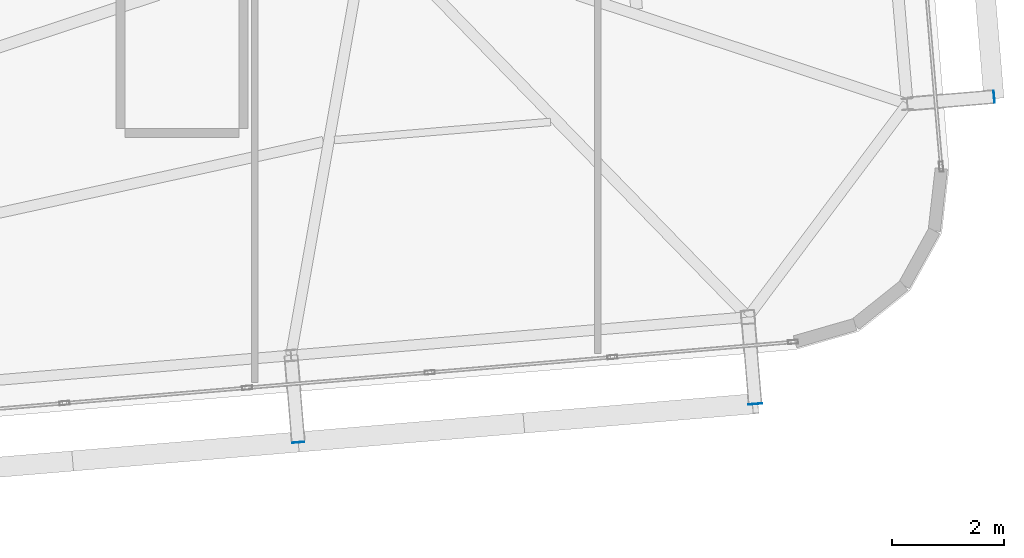
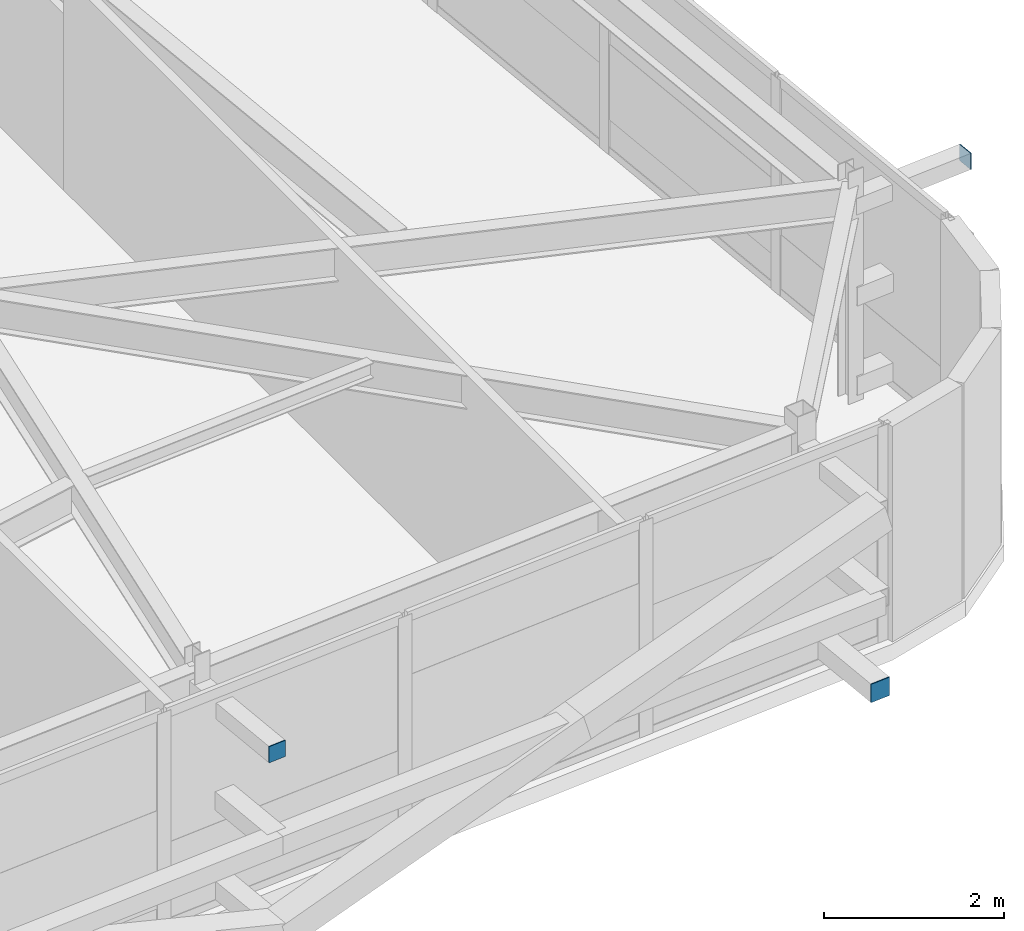
# One storey, part 37 of 46: 3 plates.
"""IFC4 building model written with IfcOpenShell, lengths in metres."""

from ifc_helpers import new_model, si_unit, direction, frame, origin, origin_2d, place, context, subcontext, project, spatial, rectangle, extrude, source, transform, mapped, material, layer, layer_set, type_object, element, save


model = new_model("IFC4")

# Units and contexts
model_context = context("Model", 3, precision=1e-05, world=origin(), true_north=direction((0.0, 1.0)))
body_context = subcontext(model_context, "Body", "Model", "MODEL_VIEW")
ifc_project = project(units=[si_unit("LENGTHUNIT", "METRE"), si_unit("AREAUNIT", "SQUARE_METRE"), si_unit("VOLUMEUNIT", "CUBIC_METRE"), si_unit("PLANEANGLEUNIT", "RADIAN"), si_unit("MASSUNIT", "GRAM", prefix="KILO")], contexts=[model_context])

# Site, building, storey
site_placement = place(None, origin())
site = spatial("IfcSite", under=ifc_project, at=site_placement, CompositionType="ELEMENT")
building_placement = place(site_placement, origin())
building = spatial("IfcBuilding", under=site, at=building_placement, Name="Taldren Reach Tower", CompositionType="ELEMENT")
storey_placement = place(building_placement, frame((0.0, 0.0, 185.14990234375)))
storey = spatial("IfcBuildingStorey", under=building, at=storey_placement, Name="L56", CompositionType="ELEMENT", Elevation=185.14990234375)

# Plates
ifc_material_1 = material(Name="Steel Gr 350 (C350L0)", Category="steel")
ifc_layer_1 = layer(ifc_material_1, 0.011962890625)
ifc_layer_set_1 = layer_set([ifc_layer_1], Name="Steel Gr 350 (C350L0)")
plate_type_1 = type_object("IfcPlateType", Name="PL-CAP-250", PredefinedType="SHEET", material=ifc_layer_set_1)
shared_shape_1 = source(origin(), body_context, "Body", "SweptSolid", [
    extrude(rectangle(XDim=0.25, YDim=0.011962890625, at=origin_2d()), origin(), (0.0, 0.0, 1.0), 0.25),
])
plate_1_placement = place(storey_placement, frame((58.926513671875, 3.9658203125, 0.09521484375), z_axis=(0.0, 0.0, 1.0), x_axis=(0.99649285925, 0.083677843332, 0.0)))
element("IfcPlate", 1, at=plate_1_placement, inside=storey, type_object=plate_type_1, Name="Tie strut end cap plate B4-S6 L56", PredefinedType="SHEET", context=body_context, shape_type="MappedRepresentation", body=[
    mapped(shared_shape_1, transform((0.0, 0.0, 0.0), scale=1.0)),
])
ifc_material_2 = material(Name="Steel Gr 450 (C450L0)", Category="steel")
ifc_layer_2 = layer(ifc_material_2, 0.011962890625)
ifc_layer_set_2 = layer_set([ifc_layer_2], Name="Steel Gr 450 (C450L0)")
plate_type_2 = type_object("IfcPlateType", Name="PL-CAP-220", PredefinedType="SHEET", material=ifc_layer_set_2)
shared_shape_2 = source(origin(), body_context, "Body", "SweptSolid", [
    extrude(rectangle(XDim=0.219970703125, YDim=0.011962890625, at=origin_2d()), origin(), (0.0, 0.0, 1.0), 0.219970703125),
])
plate_2_placement = place(storey_placement, frame((50.775146484375, 3.281494140625, 2.5400390625), z_axis=(0.0, 0.0, 1.0), x_axis=(0.99649285925, 0.083677843332, 0.0)))
element("IfcPlate", 2, at=plate_2_placement, inside=storey, type_object=plate_type_2, Name="Tie strut end cap plate B4-S5 L56", PredefinedType="SHEET", context=body_context, shape_type="MappedRepresentation", body=[
    mapped(shared_shape_2, transform((0.0, 0.0, 0.0), scale=1.0)),
])
shared_shape_3 = source(origin(), body_context, "Body", "SweptSolid", [
    extrude(rectangle(XDim=0.011962890625, YDim=0.219970703125, at=origin_2d()), origin(), (0.0, 0.0, 1.0), 0.219970703125),
])
plate_3_placement = place(storey_placement, frame((63.188720703125, 9.44775390625, 2.5400390625), z_axis=(0.0, 0.0, 1.0), x_axis=(0.99649285925, 0.083677843332, 0.0)))
element("IfcPlate", 3, at=plate_3_placement, inside=storey, type_object=plate_type_2, Name="Tie strut end cap plate B4-E1 L56", PredefinedType="SHEET", context=body_context, shape_type="MappedRepresentation", body=[
    mapped(shared_shape_3, transform((0.0, 0.0, 0.0), scale=1.0)),
])

save(model, "model.ifc")
